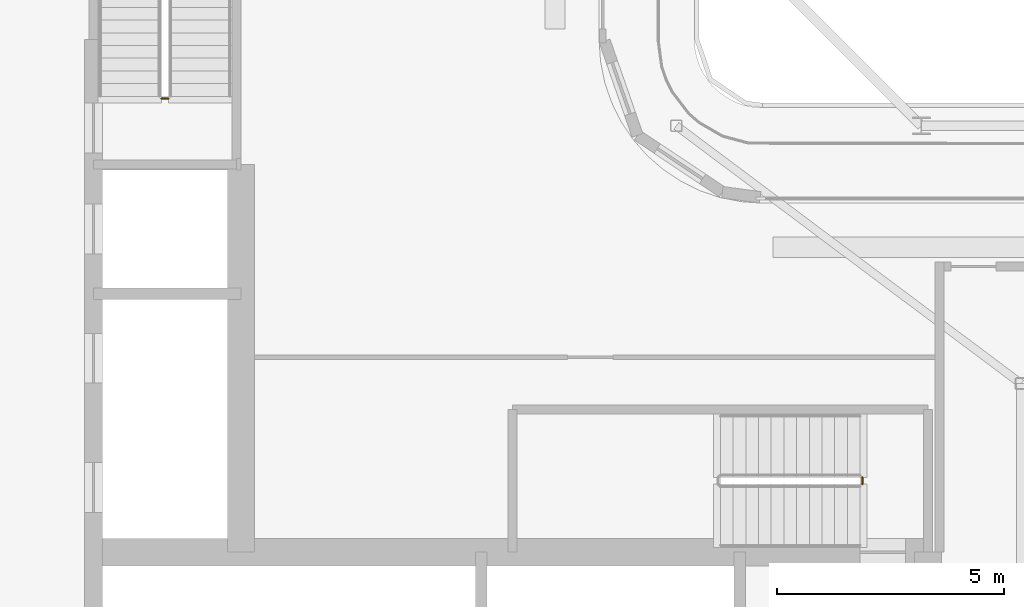
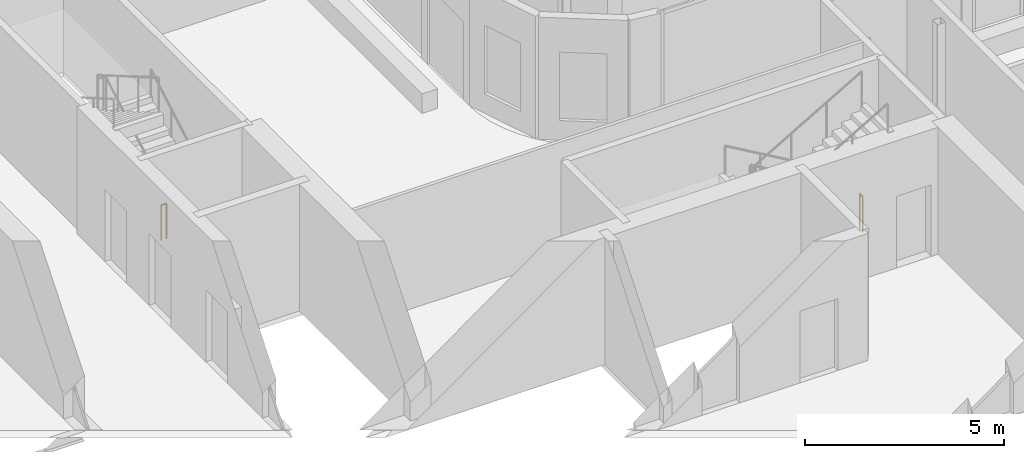
# One storey, part 17 of 21: 2 railings.
"""IFC4 building model written with IfcOpenShell, lengths in metres."""

import ifcopenshell
import ifcopenshell.guid

model = None  # the IFC model being written
_history = None  # IfcOwnerHistory: only IFC2X3 demands one
_inside = {}  # id of a spatial element -> (the spatial element, [elements in it])
_under = {}  # id of a project, library or spatial element -> (it, [spatial elements below it])
_declared = {}  # id of a project -> (the project, [libraries it declares])
_typed = {}  # id of a type object -> (the type object, [elements of that type])
_made_of = {}  # id of a material, layer set ... -> (it, [elements and type objects made of it])


def new_model(schema):
    """Start an empty IFC model of exactly this schema.

    Asked for "IFC4X3", IfcOpenShell would pick the latest addendum, in which some entities
    have other attributes; the version numbers below select the first issue.
    IFC2X3 requires an IfcOwnerHistory on every rooted entity: one is made here for all.
    """
    global model, _history
    if schema == "IFC4X3":
        model = ifcopenshell.file(schema_version=(4, 3, 0, 0))
    else:
        model = ifcopenshell.file(schema=schema)
    _inside.clear()
    _under.clear()
    _declared.clear()
    _typed.clear()
    _made_of.clear()
    _history = None
    if model.schema == "IFC2X3":
        org = make("IfcOrganization", Name="unknown")
        user = make(
            "IfcPersonAndOrganization",
            ThePerson=make("IfcPerson", FamilyName="unknown"),
            TheOrganization=org,
        )
        app = make(
            "IfcApplication",
            ApplicationDeveloper=org,
            Version="unknown",
            ApplicationFullName="unknown",
            ApplicationIdentifier="unknown",
        )
        _history = make(
            "IfcOwnerHistory",
            OwningUser=user,
            OwningApplication=app,
            ChangeAction="ADDED",
            CreationDate=0,
        )
    return model


def make(cls, **values):
    """One entity of the class cls with the attributes given. An attribute that is None is left unset."""
    return model.create_entity(
        cls, **{name: value for name, value in values.items() if value is not None}
    )


def rooted(cls, **values):
    """An entity with a GlobalId (a new one), such as an element, a storey or a relation."""
    return make(cls, GlobalId=ifcopenshell.guid.new(), OwnerHistory=_history, **values)


def si_unit(unit_type, name, prefix=None):
    """IfcSIUnit, for example si_unit("LENGTHUNIT", "METRE", prefix="MILLI")."""
    return make("IfcSIUnit", UnitType=unit_type, Prefix=prefix, Name=name)


def assignment(units):
    """IfcUnitAssignment: the units of a project."""
    return None if units is None else make("IfcUnitAssignment", Units=units)


def point(xyz):
    """IfcCartesianPoint."""
    return None if xyz is None else make("IfcCartesianPoint", Coordinates=xyz)


def direction(xyz):
    """IfcDirection."""
    return None if xyz is None else make("IfcDirection", DirectionRatios=xyz)


def frame(location, z_axis=None, x_axis=None):
    """IfcAxis2Placement3D, a coordinate frame: its origin and axes. An axis left out is left unset."""
    return make(
        "IfcAxis2Placement3D",
        Location=point(location),
        Axis=direction(z_axis),
        RefDirection=direction(x_axis),
    )


def frame_2d(location, x_axis=None):
    """IfcAxis2Placement2D, a coordinate frame in the plane: its origin and x axis."""
    return make(
        "IfcAxis2Placement2D", Location=point(location), RefDirection=direction(x_axis)
    )


def origin():
    """The frame at (0, 0, 0) with its axes left unset."""
    return frame((0.0, 0.0, 0.0))


def origin_2d():
    """The frame at (0, 0) in the plane with its x axis left unset."""
    return frame_2d((0.0, 0.0))


def place(relative_to, where):
    """IfcLocalPlacement: puts the frame where relative to a parent placement (None: the world)."""
    return make(
        "IfcLocalPlacement", PlacementRelTo=relative_to, RelativePlacement=where
    )


def context(
    kind, dimensions, precision=None, world=None, true_north=None, identifier=None
):
    """IfcGeometricRepresentationContext, for example the 3D "Model" context."""
    return make(
        "IfcGeometricRepresentationContext",
        ContextIdentifier=identifier,
        ContextType=kind,
        CoordinateSpaceDimension=dimensions,
        Precision=precision,
        WorldCoordinateSystem=world,
        TrueNorth=true_north,
    )


def subcontext(parent, identifier, kind, view, scale=None):
    """IfcGeometricRepresentationSubContext, for example "Body" below "Model"."""
    return make(
        "IfcGeometricRepresentationSubContext",
        ContextIdentifier=identifier,
        ContextType=kind,
        ParentContext=parent,
        TargetScale=scale,
        TargetView=view,
    )


def project(units=None, contexts=None):
    """IfcProject with its units and contexts."""
    return rooted(
        "IfcProject",
        Name="project",
        RepresentationContexts=contexts,
        UnitsInContext=assignment(units),
    )


def spatial(cls, under=None, at=None, **own):
    """A site, building, storey or space (cls), placed at a placement, below another one or the project."""
    s = rooted(cls, ObjectPlacement=at, **own)
    if under is not None:
        _under.setdefault(under.id(), (under, []))[1].append(s)
    return s


def profile(cls, at=None, kind="AREA", **sizes):
    """A parametric profile (cls). Its sizes go by their IFC names, for example OverallWidth=200.0."""
    return make(cls, ProfileType=kind, Position=at, **sizes)


def circle(**sizes):
    """IfcCircleProfileDef."""
    return profile("IfcCircleProfileDef", **sizes)


def extrude(swept, where, along, depth):
    """IfcExtrudedAreaSolid: the profile swept, set in the frame where, extruded along a direction by depth."""
    return make(
        "IfcExtrudedAreaSolid",
        SweptArea=swept,
        Position=where,
        ExtrudedDirection=direction(along),
        Depth=depth,
    )


def shape(context_of_items, identifier, shape_type, items):
    """IfcShapeRepresentation: the items that make up one representation, for example the "Body"."""
    return make(
        "IfcShapeRepresentation",
        ContextOfItems=context_of_items,
        RepresentationIdentifier=identifier,
        RepresentationType=shape_type,
        Items=items,
    )


def material(Name=None, Category=None):
    """IfcMaterial."""
    return make("IfcMaterial", Name=Name, Category=Category)


def made_of(thing, what):
    """Note that an element or type object is made of a material, layer set ...; save() writes the relation."""
    if what is not None:
        _made_of.setdefault(what.id(), (what, []))[1].append(thing)
    return thing


def type_object(cls, material=None, **own):
    """A type object (cls), such as IfcWallType, which elements share."""
    return made_of(rooted(cls, **own), material)


def element(
    cls,
    number,
    at=None,
    inside=None,
    cuts=None,
    type_object=None,
    material=None,
    context=None,
    identifier="Body",
    shape_type=None,
    held_by="IfcProductDefinitionShape",
    body=None,
    shapes=None,
    **own,
):
    """One element of the class cls, such as IfcWall. Its Tag is "e" and its number.

    at: its placement. inside: the storey or other place that contains it. cuts: it is an
    opening in that element (IfcRelVoidsElement). A single representation is given by context,
    identifier, shape_type and body (its items); several are given by shapes. held_by: the class
    of the entity that holds the representations. save() writes the other relations.
    """
    e = rooted(cls, Tag="e%d" % number, ObjectPlacement=at, **own)
    if body is not None:
        shapes = [shape(context, identifier, shape_type, body)]
    if shapes is not None:
        e.Representation = make(held_by, Representations=shapes)
    if inside is not None:
        _inside.setdefault(inside.id(), (inside, []))[1].append(e)
    if cuts is not None:
        rooted(
            "IfcRelVoidsElement", RelatingBuildingElement=cuts, RelatedOpeningElement=e
        )
    if type_object is not None:
        _typed.setdefault(type_object.id(), (type_object, []))[1].append(e)
    return made_of(e, material)


def aggregate(whole, parts):
    """IfcRelAggregates: a whole, such as a stair, and the parts it consists of."""
    return rooted("IfcRelAggregates", RelatingObject=whole, RelatedObjects=parts)


def save(model, path):
    """Write the relations noted so far, then the file.

    IfcRelAggregates (storeys below a building ...), IfcRelContainedInSpatialStructure (elements
    in a storey), IfcRelDefinesByType, IfcRelAssociatesMaterial and IfcRelDeclares: one each for
    every whole, place, type object, material and project.
    """
    for whole, parts in _under.values():
        aggregate(whole, parts)
    for where, things in _inside.values():
        rooted(
            "IfcRelContainedInSpatialStructure",
            RelatedElements=things,
            RelatingStructure=where,
        )
    for kind, things in _typed.values():
        rooted("IfcRelDefinesByType", RelatedObjects=things, RelatingType=kind)
    for what, things in _made_of.values():
        rooted("IfcRelAssociatesMaterial", RelatedObjects=things, RelatingMaterial=what)
    for by, libraries in _declared.values():
        rooted("IfcRelDeclares", RelatingContext=by, RelatedDefinitions=libraries)
    model.write(path)


model = new_model("IFC4")

# Units and contexts
model_context = context("Model", 3, precision=1e-05, world=origin(), true_north=direction((0.0, 1.0)))
body_context = subcontext(model_context, "Body", "Model", "MODEL_VIEW")
ifc_project = project(units=[si_unit("LENGTHUNIT", "METRE"), si_unit("AREAUNIT", "SQUARE_METRE"), si_unit("VOLUMEUNIT", "CUBIC_METRE"), si_unit("PLANEANGLEUNIT", "RADIAN"), si_unit("MASSUNIT", "GRAM", prefix="KILO")], contexts=[model_context])

# Site, building, storey
site_placement = place(None, origin())
site = spatial("IfcSite", under=ifc_project, at=site_placement, CompositionType="ELEMENT")
building_placement = place(site_placement, origin())
building = spatial("IfcBuilding", under=site, at=building_placement, Name="Kheshtan School and Residences Tower", CompositionType="ELEMENT")
storey_placement = place(building_placement, frame((0.0, 0.0, 321.5)))
storey = spatial("IfcBuildingStorey", under=building, at=storey_placement, Name="L76", CompositionType="ELEMENT", Elevation=321.5)

# Railings
ifc_material = material(Name="Stainless steel balustrade", Category="steel")
railing_type = type_object("IfcRailingType", Name="Stair guard 1100", PredefinedType="GUARDRAIL", material=ifc_material)
railing_1_placement = place(storey_placement, frame((51.699951171875, 37.85009765625, 0.0)))
element("IfcRailing", 1, at=railing_1_placement, inside=storey, type_object=railing_type, Name="L76 ST1 stair guard 2", PredefinedType="GUARDRAIL", context=body_context, shape_type="SweptSolid", body=[
    extrude(circle(Radius=0.02392578125, at=origin_2d()), frame((0.0, 0.0, 1.076171875), z_axis=(0.0, -1.0, 0.0), x_axis=(1.0, 0.0, 0.0)), (0.0, 0.0, 1.0), 0.150146484375),
    extrude(circle(Radius=0.02099609375, at=origin_2d()), origin(), (0.0, 0.0, 1.0), 1.052001953125),
    extrude(circle(Radius=0.02099609375, at=origin_2d()), frame((0.0, -0.150146484375, 0.0)), (0.0, 0.0, 1.0), 1.052001953125),
])
railing_2_placement = place(storey_placement, frame((36.39990234375, 46.199951171875, 0.0)))
element("IfcRailing", 2, at=railing_2_placement, inside=storey, type_object=railing_type, Name="L76 ST2 stair guard 2", PredefinedType="GUARDRAIL", context=body_context, shape_type="SweptSolid", body=[
    extrude(circle(Radius=0.02392578125, at=origin_2d()), frame((0.0, 0.0, 1.076171875), z_axis=(-1.0, 0.0, 0.0), x_axis=(0.0, -1.0, 0.0)), (0.0, 0.0, 1.0), 0.14990234375),
    extrude(circle(Radius=0.02099609375, at=origin_2d()), origin(), (0.0, 0.0, 1.0), 1.052001953125),
    extrude(circle(Radius=0.02099609375, at=origin_2d()), frame((-0.14990234375, 0.0, 0.0)), (0.0, 0.0, 1.0), 1.052001953125),
])

save(model, "model.ifc")
